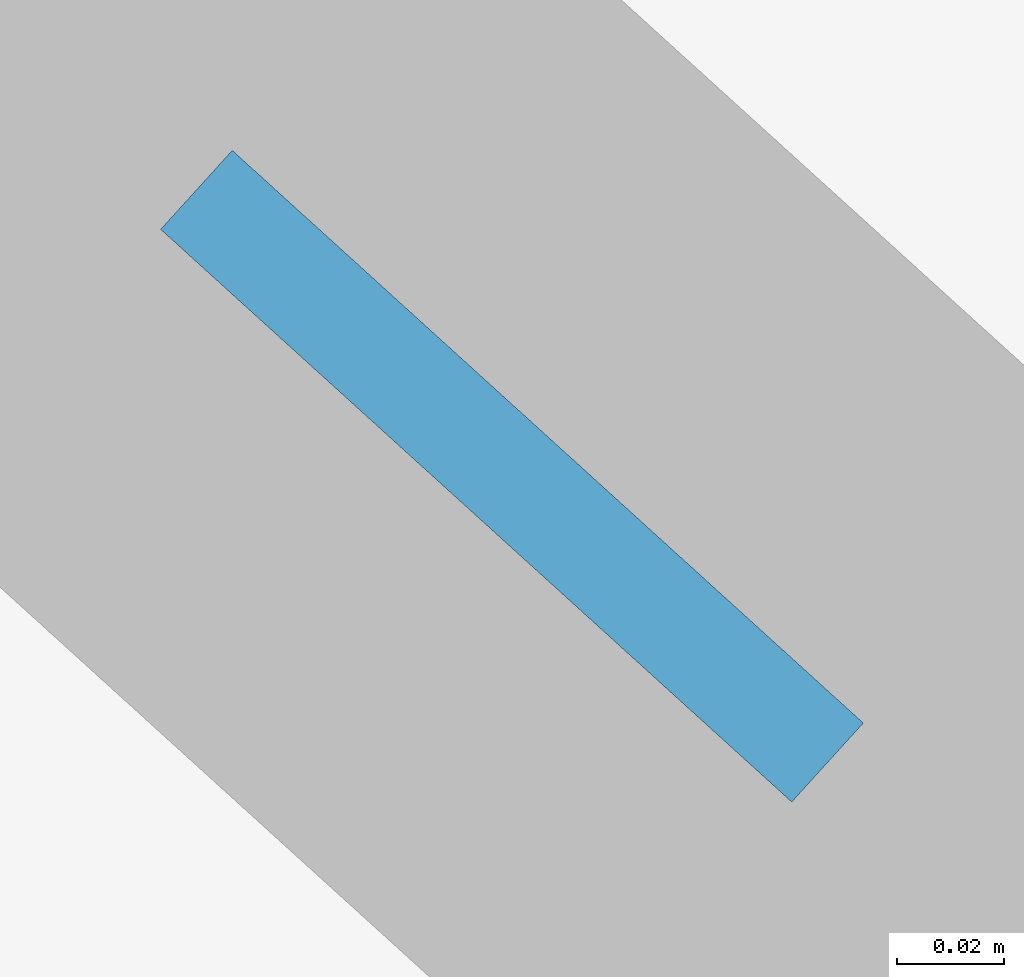
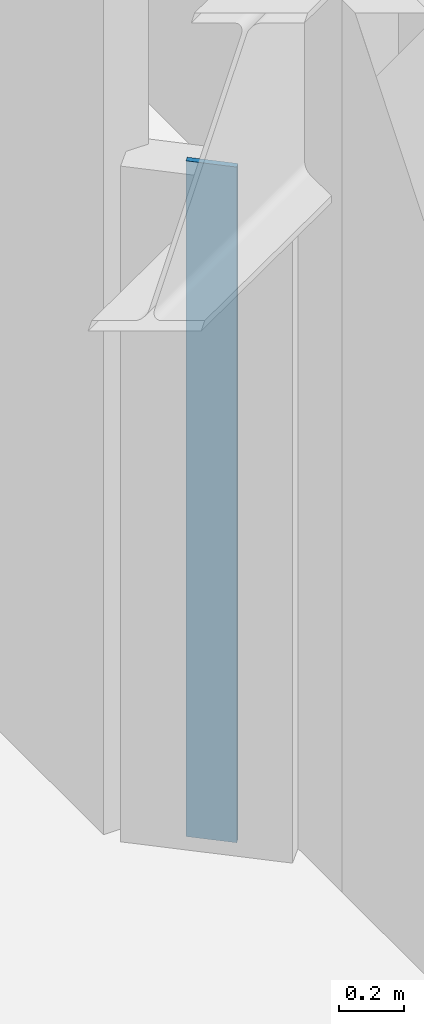
# One storey, part 2 of 8: 1 plate.
"""IFC4 building model written with IfcOpenShell, lengths in metres."""

from ifc_helpers import new_model, si_unit, direction, frame, origin, origin_2d, place, context, subcontext, project, spatial, rectangle, extrude, material, layer, layer_set, type_object, element, save


model = new_model("IFC4")

# Units and contexts
model_context = context("Model", 3, precision=1e-05, world=origin(), true_north=direction((0.0, 1.0)))
body_context = subcontext(model_context, "Body", "Model", "MODEL_VIEW")
ifc_project = project(units=[si_unit("LENGTHUNIT", "METRE"), si_unit("AREAUNIT", "SQUARE_METRE"), si_unit("VOLUMEUNIT", "CUBIC_METRE"), si_unit("PLANEANGLEUNIT", "RADIAN"), si_unit("MASSUNIT", "GRAM", prefix="KILO")], contexts=[model_context])

# Site, building, storey
site_placement = place(None, origin())
site = spatial("IfcSite", under=ifc_project, at=site_placement, CompositionType="ELEMENT")
building_placement = place(site_placement, origin())
building = spatial("IfcBuilding", under=site, at=building_placement, Name="Miruveldt Soraemaru", CompositionType="ELEMENT")
storey_placement = place(building_placement, frame((0.0, 0.0, 208.800048828125)))
storey = spatial("IfcBuildingStorey", under=building, at=storey_placement, Name="L57", CompositionType="ELEMENT", Elevation=208.800048828125)

# Plate
ifc_material = material(Name="Anodised aluminium EN AW-6063 T6", Category="aluminium")
ifc_layer = layer(ifc_material, 0.02001953125, Name="Anodised aluminium EN AW-6063 T6", Category="aluminium")
ifc_layer_set = layer_set([ifc_layer], Name="Anodised aluminium EN AW-6063 T6")
plate_type = type_object("IfcPlateType", Name="PLT-PART-TRIM", PredefinedType="SHEET", material=ifc_layer_set)
plate_placement = place(storey_placement, frame((35.14990234375, 52.87158203125, 0.0), z_axis=(0.0, 0.0, 1.0), x_axis=(0.74057007644, -0.671979137981, 0.0)))
element("IfcPlate", 1, at=plate_placement, inside=storey, type_object=plate_type, Name="L57 Partition Step Corner Trim Plate 001", PredefinedType="SHEET", context=body_context, shape_type="SweptSolid", body=[
    extrude(rectangle(XDim=0.159912109375, YDim=0.02001953125, at=origin_2d()), origin(), (0.0, 0.0, 1.0), 2.532958984375),
])

save(model, "model.ifc")
